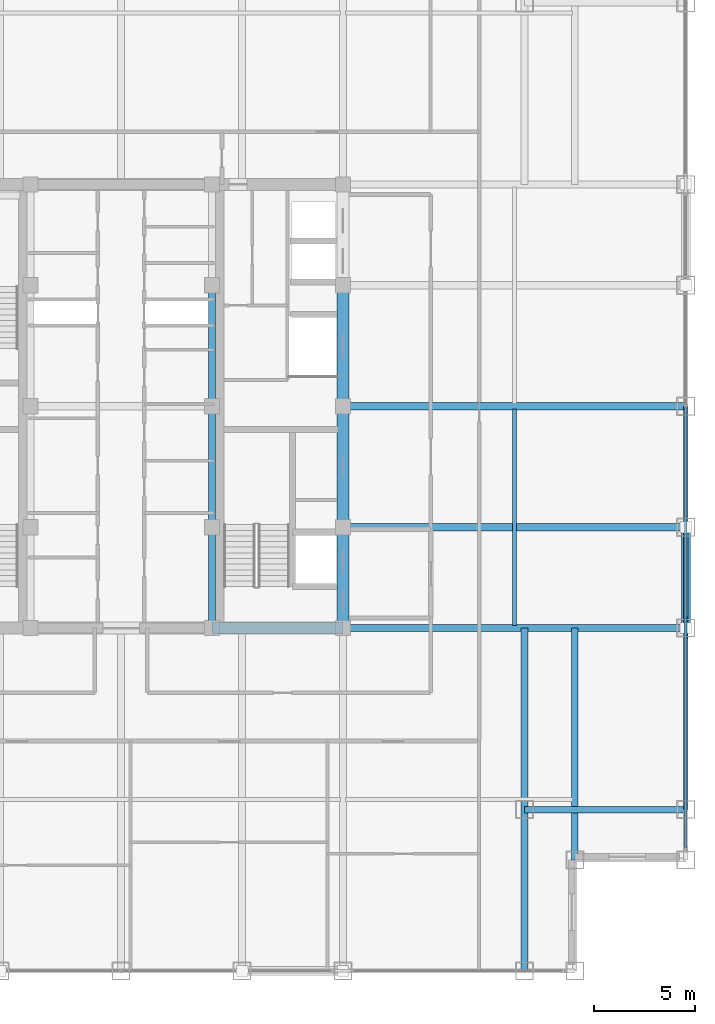
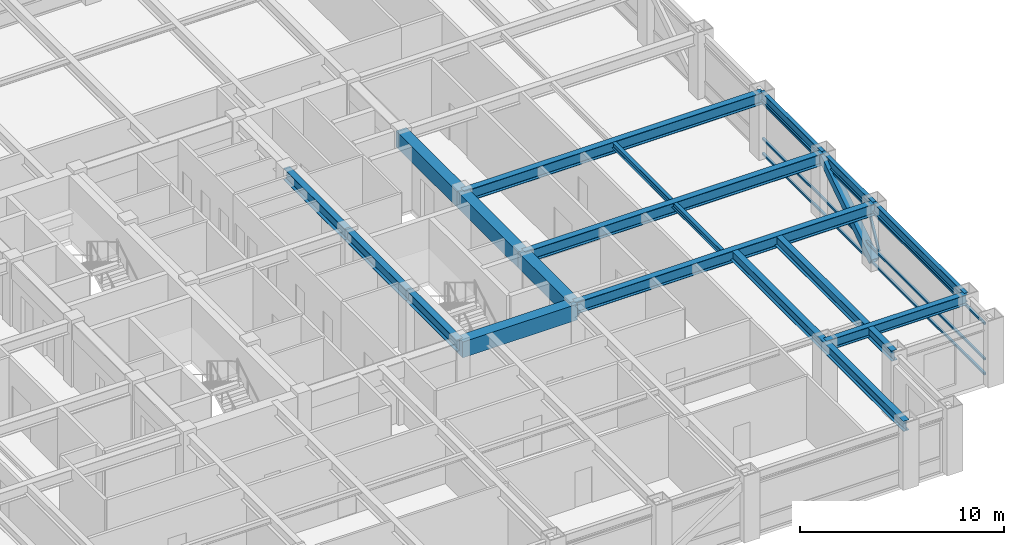
# One storey, part 9 of 22: 17 beams, 5 members, 1 element without a shape of its own.
"""IFC4 building model written with IfcOpenShell, lengths in metres."""

from ifc_helpers import new_model, si_unit, direction, frame, origin, origin_2d, place, context, subcontext, project, spatial, rectangle, hollow_rectangle, i_section, extrude, source, transform, mapped, material, material_profile, profile_set, type_object, element, aggregate, save


model = new_model("IFC4")

# Units and contexts
model_context = context("Model", 3, precision=1e-05, world=origin(), true_north=direction((0.0, 1.0)))
body_context = subcontext(model_context, "Body", "Model", "MODEL_VIEW")
ifc_project = project(units=[si_unit("LENGTHUNIT", "METRE"), si_unit("AREAUNIT", "SQUARE_METRE"), si_unit("VOLUMEUNIT", "CUBIC_METRE"), si_unit("PLANEANGLEUNIT", "RADIAN"), si_unit("MASSUNIT", "GRAM", prefix="KILO")], contexts=[model_context])

# Site, building, storey
site_placement = place(None, origin())
site = spatial("IfcSite", under=ifc_project, at=site_placement, CompositionType="ELEMENT")
building_placement = place(site_placement, origin())
building = spatial("IfcBuilding", under=site, at=building_placement, Name="Khorayat Bourse Tower", CompositionType="ELEMENT")
storey_placement = place(building_placement, frame((0.0, 0.0, 289.5)))
storey = spatial("IfcBuildingStorey", under=building, at=storey_placement, Name="L68", CompositionType="ELEMENT", Elevation=289.5)

# Beams
ifc_material_1 = material(Name="Steel ASTM A992 Grade 50", Category="steel")
ifc_material_profile_1 = material_profile(ifc_material_1, i_section(OverallWidth=0.35498046875, OverallDepth=0.695068359375, WebThickness=0.015380859375, FlangeThickness=0.02490234375, FilletRadius=0.01806640625, at=origin_2d()), Name="W690X217")
ifc_profile_set_1 = profile_set([ifc_material_profile_1], Name="Steel ASTM A992 Grade 50")
beam_type_1 = type_object("IfcBeamType", Name="BM-GIRD-690", PredefinedType="BEAM", material=ifc_profile_set_1)
shared_shape_1 = source(origin(), body_context, "Body", "SweptSolid", [
    extrude(i_section(OverallWidth=0.35498046875, OverallDepth=0.695068359375, WebThickness=0.015380859375, FlangeThickness=0.02490234375, FilletRadius=0.01806640625, at=origin_2d()), origin(), (0.0, 0.0, 1.0), 5.0),
])
beam_1_placement = place(storey_placement, frame((4.5, -11.0, 3.4326171875), z_axis=(0.0, 1.0, 0.0), x_axis=(-1.0, 0.0, 0.0)))
element("IfcBeam", 1, at=beam_1_placement, inside=storey, type_object=beam_type_1, Name="L68 BM-GIRD-690 BM-L68-CRX-09", PredefinedType="BEAM", context=body_context, shape_type="MappedRepresentation", body=[
    mapped(shared_shape_1, transform((0.0, 0.0, 0.0), scale=1.0)),
])
shared_shape_2 = source(origin(), body_context, "Body", "SweptSolid", [
    extrude(i_section(OverallWidth=0.35498046875, OverallDepth=0.695068359375, WebThickness=0.015380859375, FlangeThickness=0.02490234375, FilletRadius=0.01806640625, at=origin_2d()), origin(), (0.0, 0.0, 1.0), 6.0),
])
for number, where, z_axis, x_axis, name in (
    (2, (4.5, -6.0, 3.4326171875), (0.0, 1.0, 0.0), (-1.0, 0.0, 0.0), "L68 BM-GIRD-690 BM-L68-CRX-10"),
    (3, (4.5, 0.0, 3.4326171875), (0.0, 1.0, 0.0), (-1.0, 0.0, 0.0), "L68 BM-GIRD-690 BM-L68-CRX-11"),
):
    element("IfcBeam", number, at=place(storey_placement, frame(where, z_axis=z_axis, x_axis=x_axis)), inside=storey, type_object=beam_type_1, Name=name, PredefinedType="BEAM", context=body_context, shape_type="MappedRepresentation", body=[
        mapped(shared_shape_2, transform((0.0, 0.0, 0.0), scale=1.0)),
    ])
ifc_material_profile_2 = material_profile(ifc_material_1, i_section(OverallWidth=0.324951171875, OverallDepth=0.615966796875, WebThickness=0.013916015625, FlangeThickness=0.021484375, FilletRadius=0.01611328125, at=origin_2d()), Name="W610X174")
ifc_profile_set_2 = profile_set([ifc_material_profile_2], Name="Steel ASTM A992 Grade 50")
beam_type_2 = type_object("IfcBeamType", Name="BM-GIRD-610", PredefinedType="BEAM", material=ifc_profile_set_2)
shared_shape_3 = source(origin(), body_context, "Body", "SweptSolid", [
    extrude(i_section(OverallWidth=0.324951171875, OverallDepth=0.615966796875, WebThickness=0.013916015625, FlangeThickness=0.021484375, FilletRadius=0.01611328125, at=origin_2d()), origin(), (0.0, 0.0, 1.0), 17.0),
])
beam_2_placement = place(storey_placement, frame((20.0, -28.0, 3.471923828125), z_axis=(0.0, 1.0, 0.0), x_axis=(-1.0, 0.0, 0.0)))
element("IfcBeam", 4, at=beam_2_placement, inside=storey, type_object=beam_type_2, Name="L68 BM-GIRD-610 BM-L68-CNRY-086", PredefinedType="BEAM", context=body_context, shape_type="MappedRepresentation", body=[
    mapped(shared_shape_3, transform((0.0, 0.0, 0.0), scale=1.0)),
])
ifc_material_2 = material(Name="Concrete C60/75", Category="concrete")
ifc_material_profile_3 = material_profile(ifc_material_2, rectangle(XDim=0.60009765625, YDim=0.949951171875, at=origin_2d()), Name="RC 600x950")
ifc_profile_set_3 = profile_set([ifc_material_profile_3], Name="Concrete C60/75")
beam_type_3 = type_object("IfcBeamType", Name="BM-COUP-950", PredefinedType="BEAM", material=ifc_profile_set_3)
shared_shape_4 = source(origin(), body_context, "Body", "SweptSolid", [
    extrude(rectangle(XDim=0.60009765625, YDim=0.949951171875, at=origin_2d()), origin(), (0.0, 0.0, 1.0), 5.0),
])
beam_3_placement = place(storey_placement, frame((11.0, -11.0, 3.304931640625), z_axis=(0.0, 1.0, 0.0), x_axis=(-1.0, 0.0, 0.0)))
element("IfcBeam", 5, at=beam_3_placement, inside=storey, type_object=beam_type_3, Name="L68 BM-COUP-950 BM-L68-CRX-13", PredefinedType="BEAM", context=body_context, shape_type="MappedRepresentation", body=[
    mapped(shared_shape_4, transform((0.0, 0.0, 0.0), scale=1.0)),
])
shared_shape_5 = source(origin(), body_context, "Body", "SweptSolid", [
    extrude(rectangle(XDim=0.60009765625, YDim=0.949951171875, at=origin_2d()), origin(), (0.0, 0.0, 1.0), 6.0),
])
for number, where, z_axis, x_axis, name in (
    (6, (11.0, -6.0, 3.304931640625), (0.0, 1.0, 0.0), (-1.0, 0.0, 0.0), "L68 BM-COUP-950 BM-L68-CRX-14"),
    (7, (11.0, 0.0, 3.304931640625), (0.0, 1.0, 0.0), (-1.0, 0.0, 0.0), "L68 BM-COUP-950 BM-L68-CRX-15"),
):
    element("IfcBeam", number, at=place(storey_placement, frame(where, z_axis=z_axis, x_axis=x_axis)), inside=storey, type_object=beam_type_3, Name=name, PredefinedType="BEAM", context=body_context, shape_type="MappedRepresentation", body=[
        mapped(shared_shape_5, transform((0.0, 0.0, 0.0), scale=1.0)),
    ])
shared_shape_6 = source(origin(), body_context, "Body", "SweptSolid", [
    extrude(rectangle(XDim=0.60009765625, YDim=0.949951171875, at=origin_2d()), origin(), (0.0, 0.0, 1.0), 6.5),
])
beam_4_placement = place(storey_placement, frame((4.5, -11.0, 3.304931640625), z_axis=(1.0, 0.0, 0.0), x_axis=(0.0, 1.0, 0.0)))
element("IfcBeam", 8, at=beam_4_placement, inside=storey, type_object=beam_type_3, Name="L68 BM-COUP-950 BM-L68-CRY-19", PredefinedType="BEAM", context=body_context, shape_type="MappedRepresentation", body=[
    mapped(shared_shape_6, transform((0.0, 0.0, 0.0), scale=1.0)),
])

# Member
ifc_material_3 = material(Name="Steel EN 10025-4 S460M", Category="steel")
ifc_material_profile_4 = material_profile(ifc_material_3, hollow_rectangle(XDim=0.449951171875, YDim=0.449951171875, WallThickness=0.02490234375, at=origin_2d()), Name="HSS 450x450x25")
ifc_profile_set_4 = profile_set([ifc_material_profile_4], Name="Steel EN 10025-4 S460M")
member_type_1 = type_object("IfcMemberType", Name="MBR-TUBE-450", PredefinedType="BRACE", material=ifc_profile_set_4)
shared_shape_7 = source(origin(), body_context, "Body", "SweptSolid", [
    extrude(hollow_rectangle(XDim=0.449951171875, YDim=0.449951171875, WallThickness=0.02490234375, at=origin_2d()), origin(), (0.0, 0.0, 1.0), 5.979736328125),
])
member_1_placement = place(storey_placement, frame((28.0, -11.0, 0.25), z_axis=(0.0, 0.836141536525, 0.548513747227), x_axis=(-1.0, 0.0, 0.0)))
element("IfcMember", 9, at=member_1_placement, inside=storey, type_object=member_type_1, Name="L68 Perimeter Tube Brace 07", PredefinedType="BRACE", context=body_context, shape_type="MappedRepresentation", body=[
    mapped(shared_shape_7, transform((0.0, 0.0, 0.0), scale=1.0)),
])

# Beams
shared_shape_8 = source(origin(), body_context, "Body", "SweptSolid", [
    extrude(i_section(OverallWidth=0.35498046875, OverallDepth=0.695068359375, WebThickness=0.015380859375, FlangeThickness=0.02490234375, FilletRadius=0.01806640625, at=origin_2d()), origin(), (0.0, 0.0, 1.0), 17.0),
])
for number, where, z_axis, x_axis, name in (
    (10, (11.0, -11.0, 3.4326171875), (1.0, 0.0, 0.0), (0.0, 1.0, 0.0), "L68 BM-GIRD-690 BM-L68-RADX-074"),
    (11, (11.0, -6.0, 3.4326171875), (1.0, 0.0, 0.0), (0.0, 1.0, 0.0), "L68 BM-GIRD-690 BM-L68-RADX-076"),
    (12, (11.0, 0.0, 3.4326171875), (1.0, 0.0, 0.0), (0.0, 1.0, 0.0), "L68 BM-GIRD-690 BM-L68-RADX-078"),
):
    element("IfcBeam", number, at=place(storey_placement, frame(where, z_axis=z_axis, x_axis=x_axis)), inside=storey, type_object=beam_type_1, Name=name, PredefinedType="BEAM", context=body_context, shape_type="MappedRepresentation", body=[
        mapped(shared_shape_8, transform((0.0, 0.0, 0.0), scale=1.0)),
    ])
shared_shape_9 = source(origin(), body_context, "Body", "SweptSolid", [
    extrude(i_section(OverallWidth=0.324951171875, OverallDepth=0.615966796875, WebThickness=0.013916015625, FlangeThickness=0.021484375, FilletRadius=0.01611328125, at=origin_2d()), origin(), (0.0, 0.0, 1.0), 11.5),
])
beam_5_placement = place(storey_placement, frame((22.5, -22.5, 3.471923828125), z_axis=(0.0, 1.0, 0.0), x_axis=(-1.0, 0.0, 0.0)))
element("IfcBeam", 13, at=beam_5_placement, inside=storey, type_object=beam_type_2, Name="L68 BM-GIRD-610 BM-L68-CNRY-090", PredefinedType="BEAM", context=body_context, shape_type="MappedRepresentation", body=[
    mapped(shared_shape_9, transform((0.0, 0.0, 0.0), scale=1.0)),
])
shared_shape_10 = source(origin(), body_context, "Body", "SweptSolid", [
    extrude(i_section(OverallWidth=0.324951171875, OverallDepth=0.615966796875, WebThickness=0.013916015625, FlangeThickness=0.021484375, FilletRadius=0.01611328125, at=origin_2d()), origin(), (0.0, 0.0, 1.0), 8.0),
])
beam_6_placement = place(storey_placement, frame((20.0, -20.0, 3.471923828125), z_axis=(1.0, 0.0, 0.0), x_axis=(0.0, 1.0, 0.0)))
element("IfcBeam", 14, at=beam_6_placement, inside=storey, type_object=beam_type_2, Name="L68 BM-GIRD-610 BM-L68-CNRX-092", PredefinedType="BEAM", context=body_context, shape_type="MappedRepresentation", body=[
    mapped(shared_shape_10, transform((0.0, 0.0, 0.0), scale=1.0)),
])
ifc_material_profile_5 = material_profile(ifc_material_1, i_section(OverallWidth=0.202880859375, OverallDepth=0.346923828125, WebThickness=0.0078125, FlangeThickness=0.013427734375, FilletRadius=0.010009765625, at=origin_2d()), Name="W360X64")
ifc_profile_set_5 = profile_set([ifc_material_profile_5], Name="Steel ASTM A992 Grade 50")
beam_type_4 = type_object("IfcBeamType", Name="BM-JOIST-360", PredefinedType="JOIST", material=ifc_profile_set_5)
shared_shape_11 = source(origin(), body_context, "Body", "SweptSolid", [
    extrude(i_section(OverallWidth=0.202880859375, OverallDepth=0.346923828125, WebThickness=0.0078125, FlangeThickness=0.013427734375, FilletRadius=0.010009765625, at=origin_2d()), origin(), (0.0, 0.0, 1.0), 10.740234375),
])
beam_7_placement = place(storey_placement, frame((19.5, -10.8701171875, 3.6064453125), z_axis=(0.0, 1.0, 0.0), x_axis=(-1.0, 0.0, 0.0)))
element("IfcBeam", 15, at=beam_7_placement, inside=storey, type_object=beam_type_4, Name="L68 BM-JOIST-360 BM-L68-JSTY-104", PredefinedType="JOIST", context=body_context, shape_type="MappedRepresentation", body=[
    mapped(shared_shape_11, transform((0.0, 0.0, 0.0), scale=1.0)),
])
ifc_material_profile_6 = material_profile(ifc_material_1, i_section(OverallWidth=0.214111328125, OverallDepth=0.549072265625, WebThickness=0.0146484375, FlangeThickness=0.023681640625, FilletRadius=0.013916015625, at=origin_2d()), Name="W530X138")
ifc_profile_set_6 = profile_set([ifc_material_profile_6], Name="Steel ASTM A992 Grade 50")
beam_type_5 = type_object("IfcBeamType", Name="BM-SPAN-530", PredefinedType="SPANDREL", material=ifc_profile_set_6)
shared_shape_12 = source(origin(), body_context, "Body", "SweptSolid", [
    extrude(i_section(OverallWidth=0.214111328125, OverallDepth=0.549072265625, WebThickness=0.0146484375, FlangeThickness=0.023681640625, FilletRadius=0.013916015625, at=origin_2d()), origin(), (0.0, 0.0, 1.0), 9.0),
])
beam_8_placement = place(storey_placement, frame((28.0, -20.0, 3.505615234375), z_axis=(0.0, 1.0, 0.0), x_axis=(-1.0, 0.0, 0.0)))
element("IfcBeam", 16, at=beam_8_placement, inside=storey, type_object=beam_type_5, Name="L68 BM-SPAN-530 BM-L68-SPN-035", PredefinedType="SPANDREL", context=body_context, shape_type="MappedRepresentation", body=[
    mapped(shared_shape_12, transform((0.0, 0.0, 0.0), scale=1.0)),
])
shared_shape_13 = source(origin(), body_context, "Body", "SweptSolid", [
    extrude(i_section(OverallWidth=0.214111328125, OverallDepth=0.549072265625, WebThickness=0.0146484375, FlangeThickness=0.023681640625, FilletRadius=0.013916015625, at=origin_2d()), origin(), (0.0, 0.0, 1.0), 5.0),
])
beam_9_placement = place(storey_placement, frame((28.0, -11.0, 3.505615234375), z_axis=(0.0, 1.0, 0.0), x_axis=(-1.0, 0.0, 0.0)))
element("IfcBeam", 17, at=beam_9_placement, inside=storey, type_object=beam_type_5, Name="L68 BM-SPAN-530 BM-L68-SPN-036", PredefinedType="SPANDREL", context=body_context, shape_type="MappedRepresentation", body=[
    mapped(shared_shape_13, transform((0.0, 0.0, 0.0), scale=1.0)),
])
shared_shape_14 = source(origin(), body_context, "Body", "SweptSolid", [
    extrude(i_section(OverallWidth=0.214111328125, OverallDepth=0.549072265625, WebThickness=0.0146484375, FlangeThickness=0.023681640625, FilletRadius=0.013916015625, at=origin_2d()), origin(), (0.0, 0.0, 1.0), 6.0),
])
beam_10_placement = place(storey_placement, frame((28.0, -6.0, 3.505615234375), z_axis=(0.0, 1.0, 0.0), x_axis=(-1.0, 0.0, 0.0)))
element("IfcBeam", 18, at=beam_10_placement, inside=storey, type_object=beam_type_5, Name="L68 BM-SPAN-530 BM-L68-SPN-037", PredefinedType="SPANDREL", context=body_context, shape_type="MappedRepresentation", body=[
    mapped(shared_shape_14, transform((0.0, 0.0, 0.0), scale=1.0)),
])

# Curtain wall, members
ifc_material_4 = material(Name="Aluminium EN AW-6063 T6", Category="aluminium")
curtain_wall_type = type_object("IfcCurtainWallType", Name="CW-SYS-04", PredefinedType="NOTDEFINED", material=ifc_material_4)
curtain_wall_placement = place(storey_placement, origin())
curtain_wall = element("IfcCurtainWall", 19, at=curtain_wall_placement, inside=storey, type_object=curtain_wall_type, Name="L68 Curtain Wall CW-L68-E1", PredefinedType="NOTDEFINED")
ifc_material_profile_7 = material_profile(ifc_material_4, hollow_rectangle(XDim=0.1201171875, YDim=0.1201171875, WallThickness=0.0048828125, at=origin_2d()), Name="ALU 120x120x5")
ifc_profile_set_7 = profile_set([ifc_material_profile_7], Name="Aluminium EN AW-6063 T6")
member_type_2 = type_object("IfcMemberType", Name="CWM-DIAG-120", PredefinedType="MULLION", material=ifc_profile_set_7)
shared_shape_15 = source(origin(), body_context, "Body", "SweptSolid", [
    extrude(hollow_rectangle(XDim=0.1201171875, YDim=0.1201171875, WallThickness=0.0048828125, at=origin_2d()), origin(), (0.0, 0.0, 1.0), 2.0791015625),
])
member_2_placement = place(storey_placement, frame((28.0, -11.4541015625, 1.090087890625), z_axis=(0.0, 0.465717394116, 0.884933505309), x_axis=(-1.0, 0.0, 0.0)))
member_2 = element("IfcMember", 20, at=member_2_placement, type_object=member_type_2, Name="CW-L68-E1 Faceted Diagonal Mullion 1", PredefinedType="MULLION", context=body_context, shape_type="MappedRepresentation", body=[
    mapped(shared_shape_15, transform((0.0, 0.0, 0.0), scale=1.0)),
])
ifc_material_profile_8 = material_profile(ifc_material_4, hollow_rectangle(XDim=0.1201171875, YDim=0.1201171875, WallThickness=0.0048828125, at=origin_2d()), Name="ALU 120x120x5")
ifc_profile_set_8 = profile_set([ifc_material_profile_8], Name="Aluminium EN AW-6063 T6")
member_type_3 = type_object("IfcMemberType", Name="CWT-HORZ-120", PredefinedType="USERDEFINED", material=ifc_profile_set_8)
shared_shape_16 = source(origin(), body_context, "Body", "SweptSolid", [
    extrude(hollow_rectangle(XDim=0.1201171875, YDim=0.1201171875, WallThickness=0.0048828125, at=origin_2d()), origin(), (0.0, 0.0, 1.0), 21.81982421875),
])
member_3_placement = place(storey_placement, frame((28.0, -21.8798828125, 0.06005859375), z_axis=(0.0, 1.0, 0.0), x_axis=(-1.0, 0.0, 0.0)))
member_3 = element("IfcMember", 21, at=member_3_placement, type_object=member_type_3, Name="CW-L68-E1 Horizontal Transom 1-1", ObjectType="TRANSOM", PredefinedType="USERDEFINED", context=body_context, shape_type="MappedRepresentation", body=[
    mapped(shared_shape_16, transform((0.0, 0.0, 0.0), scale=1.0)),
])
member_4_placement = place(storey_placement, frame((28.0, -21.8798828125, 0.949951171875), z_axis=(0.0, 1.0, 0.0), x_axis=(-1.0, 0.0, 0.0)))
member_4 = element("IfcMember", 22, at=member_4_placement, type_object=member_type_3, Name="CW-L68-E1 Horizontal Transom 1-2", ObjectType="TRANSOM", PredefinedType="USERDEFINED", context=body_context, shape_type="MappedRepresentation", body=[
    mapped(shared_shape_16, transform((0.0, 0.0, 0.0), scale=1.0)),
])
member_5_placement = place(storey_placement, frame((28.0, -21.8798828125, 3.070068359375), z_axis=(0.0, 1.0, 0.0), x_axis=(-1.0, 0.0, 0.0)))
member_5 = element("IfcMember", 23, at=member_5_placement, type_object=member_type_3, Name="CW-L68-E1 Horizontal Transom 1-3", ObjectType="TRANSOM", PredefinedType="USERDEFINED", context=body_context, shape_type="MappedRepresentation", body=[
    mapped(shared_shape_16, transform((0.0, 0.0, 0.0), scale=1.0)),
])
aggregate(curtain_wall, [member_3, member_4, member_5, member_2])

save(model, "model.ifc")
